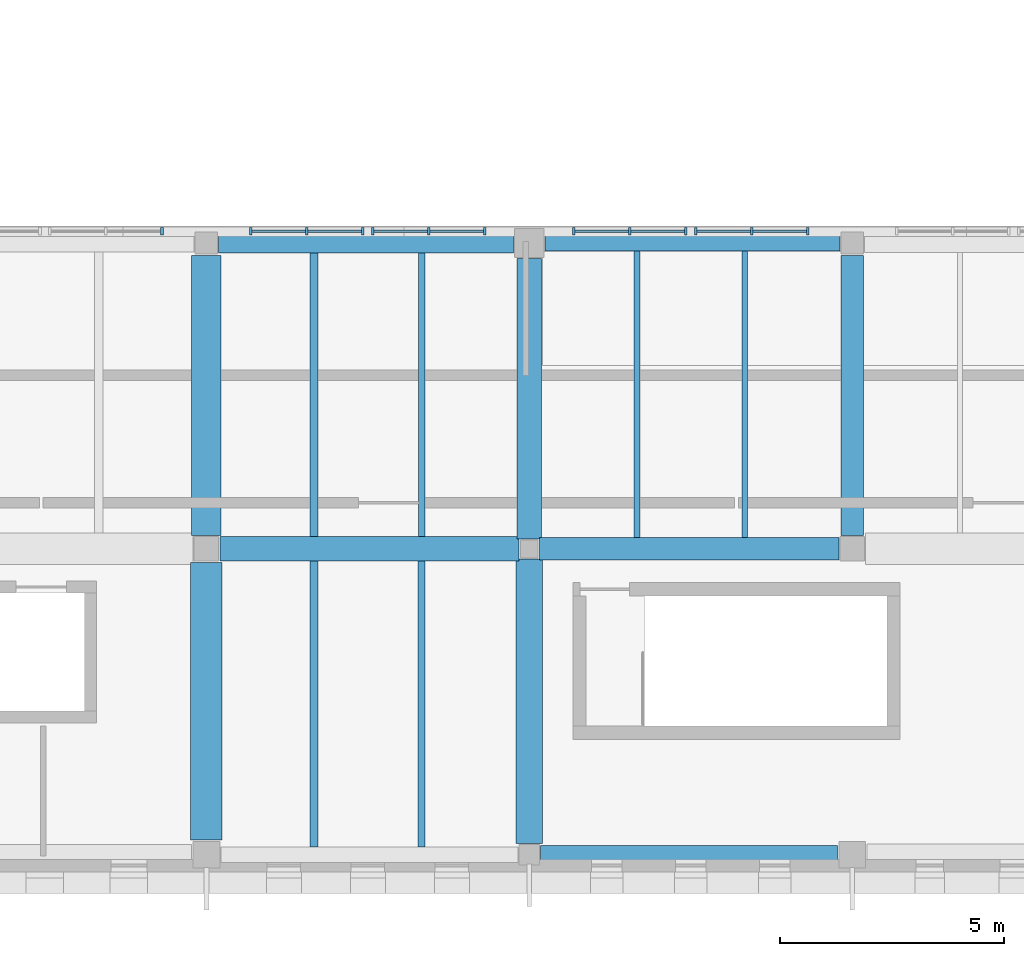
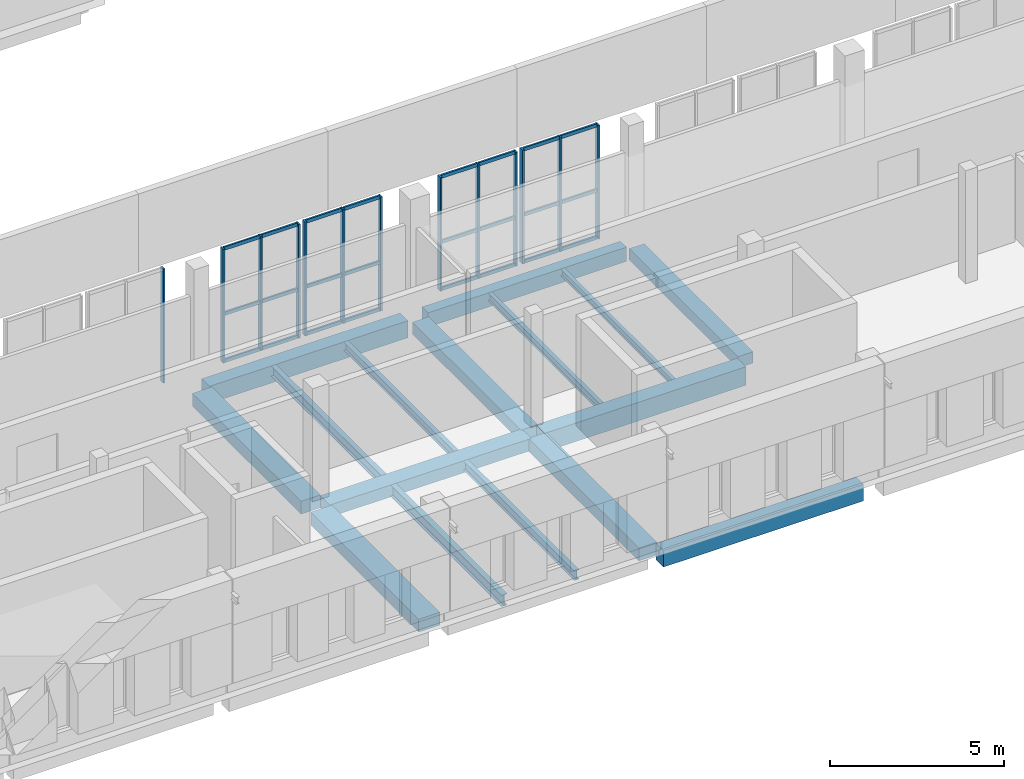
# One storey, part 15 of 76: 37 members, 16 beams, 5 elements without a shape of their own.
"""IFC4 building model written with IfcOpenShell, lengths in metres."""

from ifc_helpers import new_model, si_unit, direction, frame, origin, origin_2d, place, context, subcontext, project, spatial, rectangle, i_section, extrude, material, layer, layer_set, material_profile, profile_set, type_object, element, aggregate, save


model = new_model("IFC4")

# Units and contexts
model_context = context("Model", 3, precision=1e-05, world=origin(), true_north=direction((0.0, 1.0)))
body_context = subcontext(model_context, "Body", "Model", "MODEL_VIEW")
ifc_project = project(units=[si_unit("LENGTHUNIT", "METRE"), si_unit("AREAUNIT", "SQUARE_METRE"), si_unit("VOLUMEUNIT", "CUBIC_METRE"), si_unit("PLANEANGLEUNIT", "RADIAN"), si_unit("MASSUNIT", "GRAM", prefix="KILO")], contexts=[model_context])

# Site, building, storey
site_placement = place(None, origin())
site = spatial("IfcSite", under=ifc_project, at=site_placement, CompositionType="ELEMENT")
building_placement = place(site_placement, origin())
building = spatial("IfcBuilding", under=site, at=building_placement, Name="Vardoun Plaza Health Centre", CompositionType="ELEMENT")
storey_placement = place(building_placement, frame((0.0, 0.0, 4.5)))
storey = spatial("IfcBuildingStorey", under=building, at=storey_placement, Name="L01", CompositionType="ELEMENT", Elevation=4.5)

# Beams
ifc_material_1 = material(Name="Concrete C35/45", Category="concrete")
ifc_material_profile_1 = material_profile(ifc_material_1, rectangle(XDim=0.35009765625, YDim=0.5, at=origin_2d()), Name="RC-BM 350x500")
ifc_profile_set_1 = profile_set([ifc_material_profile_1], Name="Concrete C35/45")
beam_type_1 = type_object("IfcBeamType", Name="B-08", PredefinedType="SPANDREL", material=ifc_profile_set_1)
beam_1_placement = place(storey_placement, frame((77.030029296875, 18.52001953125, -0.56494140625), z_axis=(1.0, 0.0, 0.0), x_axis=(0.0, 1.0, 0.0)))
element("IfcBeam", 1, at=beam_1_placement, inside=storey, type_object=beam_type_1, Name="V4 L01 Beam B-V4-L01-X15", PredefinedType="SPANDREL", context=body_context, shape_type="SweptSolid", body=[
    extrude(rectangle(XDim=0.35009765625, YDim=0.5, at=origin_2d()), origin(), (0.0, 0.0, 1.0), 6.574951171875),
])
ifc_material_2 = material(Name="Concrete C35/45", Category="concrete")
ifc_material_profile_2 = material_profile(ifc_material_2, rectangle(XDim=0.419921875, YDim=0.580078125, at=origin_2d()), Name="RC-BM 420x580")
ifc_profile_set_2 = profile_set([ifc_material_profile_2], Name="Concrete C35/45")
beam_type_2 = type_object("IfcBeamType", Name="B-10", PredefinedType="SPANDREL", material=ifc_profile_set_2)
beam_2_placement = place(storey_placement, frame((76.929931640625, 4.8798828125, -0.60498046875), z_axis=(1.0, 0.0, 0.0), x_axis=(0.0, 1.0, 0.0)))
element("IfcBeam", 2, at=beam_2_placement, inside=storey, type_object=beam_type_2, Name="V4 L01 Beam B-V4-L01-X13", PredefinedType="SPANDREL", context=body_context, shape_type="SweptSolid", body=[
    extrude(rectangle(XDim=0.419921875, YDim=0.580078125, at=origin_2d()), origin(), (0.0, 0.0, 1.0), 6.625),
])
ifc_material_3 = material(Name="Concrete C35/45", Category="concrete")
ifc_material_profile_3 = material_profile(ifc_material_3, rectangle(XDim=0.449951171875, YDim=0.60009765625, at=origin_2d()), Name="RC-BM 450x600")
ifc_profile_set_3 = profile_set([ifc_material_profile_3], Name="Concrete C35/45")
beam_type_3 = type_object("IfcBeamType", Name="B-11", PredefinedType="SPANDREL", material=ifc_profile_set_3)
beam_3_placement = place(storey_placement, frame((69.7548828125, 18.52001953125, -0.614990234375), z_axis=(1.0, 0.0, 0.0), x_axis=(0.0, 1.0, 0.0)))
element("IfcBeam", 3, at=beam_3_placement, inside=storey, type_object=beam_type_3, Name="V4 L01 Beam B-V4-L01-X12", PredefinedType="SPANDREL", context=body_context, shape_type="SweptSolid", body=[
    extrude(rectangle(XDim=0.449951171875, YDim=0.60009765625, at=origin_2d()), origin(), (0.0, 0.0, 1.0), 6.5751953125),
])
ifc_material_4 = material(Name="Concrete C35/45", Category="concrete")
ifc_material_profile_4 = material_profile(ifc_material_4, rectangle(XDim=0.5, YDim=0.39990234375, at=origin_2d()), Name="RC-BM 500x400")
ifc_profile_set_4 = profile_set([ifc_material_profile_4], Name="Concrete C35/45")
beam_type_4 = type_object("IfcBeamType", Name="B-02", PredefinedType="BEAM", material=ifc_profile_set_4)
beam_4_placement = place(storey_placement, frame((83.8798828125, 12.0, -0.514892578125), z_axis=(0.0, 1.0, 0.0), x_axis=(-1.0, 0.0, 0.0)))
element("IfcBeam", 4, at=beam_4_placement, inside=storey, type_object=beam_type_4, Name="V4 L01 Beam B-V4-L01-Y34", PredefinedType="BEAM", context=body_context, shape_type="SweptSolid", body=[
    extrude(rectangle(XDim=0.5, YDim=0.39990234375, at=origin_2d()), origin(), (0.0, 0.0, 1.0), 6.2451171875),
])
ifc_material_5 = material(Name="Concrete C40/50", Category="concrete")
ifc_material_profile_5 = material_profile(ifc_material_5, rectangle(XDim=0.5, YDim=0.64990234375, at=origin_2d()), Name="RC-BM 500x650")
ifc_profile_set_5 = profile_set([ifc_material_profile_5], Name="Concrete C40/50")
beam_type_5 = type_object("IfcBeamType", Name="B-13", PredefinedType="BEAM", material=ifc_profile_set_5)
beam_5_placement = place(storey_placement, frame((76.905029296875, 11.699951171875, -0.639892578125), z_axis=(1.0, 0.0, 0.0), x_axis=(0.0, 1.0, 0.0)))
element("IfcBeam", 5, at=beam_5_placement, inside=storey, type_object=beam_type_5, Name="V4 L01 Beam B-V4-L01-X14", PredefinedType="BEAM", context=body_context, shape_type="SweptSolid", body=[
    extrude(rectangle(XDim=0.5, YDim=0.64990234375, at=origin_2d()), origin(), (0.0, 0.0, 1.0), 6.675048828125),
])
ifc_material_6 = material(Name="Concrete C35/45", Category="concrete")
ifc_material_profile_6 = material_profile(ifc_material_6, rectangle(XDim=0.550048828125, YDim=0.419921875, at=origin_2d()), Name="RC-BM 550x420")
ifc_profile_set_6 = profile_set([ifc_material_profile_6], Name="Concrete C35/45")
beam_type_6 = type_object("IfcBeamType", Name="B-03", PredefinedType="BEAM", material=ifc_profile_set_6)
beam_6_placement = place(storey_placement, frame((69.780029296875, 11.699951171875, -0.52490234375), z_axis=(1.0, 0.0, 0.0), x_axis=(0.0, 1.0, 0.0)))
element("IfcBeam", 6, at=beam_6_placement, inside=storey, type_object=beam_type_6, Name="V4 L01 Beam B-V4-L01-X11", PredefinedType="BEAM", context=body_context, shape_type="SweptSolid", body=[
    extrude(rectangle(XDim=0.550048828125, YDim=0.419921875, at=origin_2d()), origin(), (0.0, 0.0, 1.0), 6.675048828125),
])
beam_7_placement = place(storey_placement, frame((76.679931640625, 11.925048828125, -0.52490234375), z_axis=(0.0, 1.0, 0.0), x_axis=(-1.0, 0.0, 0.0)))
element("IfcBeam", 7, at=beam_7_placement, inside=storey, type_object=beam_type_6, Name="V4 L01 Beam B-V4-L01-Y33", PredefinedType="BEAM", context=body_context, shape_type="SweptSolid", body=[
    extrude(rectangle(XDim=0.550048828125, YDim=0.419921875, at=origin_2d()), origin(), (0.0, 0.0, 1.0), 6.244873046875),
])
ifc_material_7 = material(Name="Concrete C35/45", Category="concrete")
ifc_material_profile_7 = material_profile(ifc_material_7, rectangle(XDim=0.60009765625, YDim=0.449951171875, at=origin_2d()), Name="RC-BM 600x450")
ifc_profile_set_7 = profile_set([ifc_material_profile_7], Name="Concrete C35/45")
beam_type_7 = type_object("IfcBeamType", Name="B-04", PredefinedType="BEAM", material=ifc_profile_set_7)
beam_8_placement = place(storey_placement, frame((76.679931640625, 5.1298828125, -0.5400390625), z_axis=(0.0, 1.0, 0.0), x_axis=(-1.0, 0.0, 0.0)))
element("IfcBeam", 8, at=beam_8_placement, inside=storey, type_object=beam_type_7, Name="V4 L01 Beam B-V4-L01-Y32", PredefinedType="BEAM", context=body_context, shape_type="SweptSolid", body=[
    extrude(rectangle(XDim=0.60009765625, YDim=0.449951171875, at=origin_2d()), origin(), (0.0, 0.0, 1.0), 6.34521484375),
])
ifc_material_8 = material(Name="Concrete C35/45", Category="concrete")
ifc_material_profile_8 = material_profile(ifc_material_8, rectangle(XDim=0.64990234375, YDim=0.449951171875, at=origin_2d()), Name="RC-BM 650x450")
ifc_profile_set_8 = profile_set([ifc_material_profile_8], Name="Concrete C35/45")
beam_type_8 = type_object("IfcBeamType", Name="B-05", PredefinedType="BEAM", material=ifc_profile_set_8)
beam_9_placement = place(storey_placement, frame((69.47998046875, 12.0, -0.5400390625), z_axis=(0.0, 1.0, 0.0), x_axis=(-1.0, 0.0, 0.0)))
element("IfcBeam", 9, at=beam_9_placement, inside=storey, type_object=beam_type_8, Name="V4 L01 Beam B-V4-L01-Y31", PredefinedType="BEAM", context=body_context, shape_type="SweptSolid", body=[
    extrude(rectangle(XDim=0.64990234375, YDim=0.449951171875, at=origin_2d()), origin(), (0.0, 0.0, 1.0), 6.2451171875),
])
ifc_material_9 = material(Name="Concrete C35/45", Category="concrete")
ifc_material_profile_9 = material_profile(ifc_material_9, rectangle(XDim=0.699951171875, YDim=0.449951171875, at=origin_2d()), Name="RC-BM 700x450")
ifc_profile_set_9 = profile_set([ifc_material_profile_9], Name="Concrete C35/45")
beam_type_9 = type_object("IfcBeamType", Name="B-06", PredefinedType="BEAM", material=ifc_profile_set_9)
beam_10_placement = place(storey_placement, frame((69.47998046875, 5.205078125, -0.5400390625), z_axis=(0.0, 1.0, 0.0), x_axis=(-1.0, 0.0, 0.0)))
element("IfcBeam", 10, at=beam_10_placement, inside=storey, type_object=beam_type_9, Name="V4 L01 Beam B-V4-L01-Y30", PredefinedType="BEAM", context=body_context, shape_type="SweptSolid", body=[
    extrude(rectangle(XDim=0.699951171875, YDim=0.449951171875, at=origin_2d()), origin(), (0.0, 0.0, 1.0), 6.19482421875),
])
ifc_material_10 = material(Name="Steel S355J2", Category="steel")
ifc_material_profile_10 = material_profile(ifc_material_10, i_section(OverallWidth=0.1201171875, OverallDepth=0.239990234375, WebThickness=0.006103515625, FlangeThickness=0.009765625, FilletRadius=0.014892578125, at=origin_2d()), Name="IPE 240")
ifc_profile_set_10 = profile_set([ifc_material_profile_10], Name="Steel S355J2")
beam_type_10 = type_object("IfcBeamType", Name="SB-17", PredefinedType="JOIST", material=ifc_profile_set_10)
beam_11_placement = place(storey_placement, frame((81.480224609375, 11.949951171875, -0.43505859375), z_axis=(0.0, 1.0, 0.0), x_axis=(-1.0, 0.0, 0.0)))
element("IfcBeam", 11, at=beam_11_placement, inside=storey, type_object=beam_type_10, Name="V4 L01 Secondary Floor Beam SJ-V4-L01-14", PredefinedType="JOIST", context=body_context, shape_type="SweptSolid", body=[
    extrude(i_section(OverallWidth=0.1201171875, OverallDepth=0.239990234375, WebThickness=0.006103515625, FlangeThickness=0.009765625, FilletRadius=0.014892578125, at=origin_2d()), origin(), (0.0, 0.0, 1.0), 6.39501953125),
])
ifc_material_11 = material(Name="Steel S355J2", Category="steel")
ifc_material_profile_11 = material_profile(ifc_material_11, i_section(OverallWidth=0.135009765625, OverallDepth=0.27001953125, WebThickness=0.006591796875, FlangeThickness=0.01025390625, FilletRadius=0.014892578125, at=origin_2d()), Name="IPE 270")
ifc_profile_set_11 = profile_set([ifc_material_profile_11], Name="Steel S355J2")
beam_type_11 = type_object("IfcBeamType", Name="SB-16", PredefinedType="JOIST", material=ifc_profile_set_11)
beam_12_placement = place(storey_placement, frame((79.079833984375, 11.949951171875, -0.449951171875), z_axis=(0.0, 1.0, 0.0), x_axis=(-1.0, 0.0, 0.0)))
element("IfcBeam", 12, at=beam_12_placement, inside=storey, type_object=beam_type_11, Name="V4 L01 Secondary Floor Beam SJ-V4-L01-13", PredefinedType="JOIST", context=body_context, shape_type="SweptSolid", body=[
    extrude(i_section(OverallWidth=0.135009765625, OverallDepth=0.27001953125, WebThickness=0.006591796875, FlangeThickness=0.01025390625, FilletRadius=0.014892578125, at=origin_2d()), origin(), (0.0, 0.0, 1.0), 6.39501953125),
])
ifc_material_12 = material(Name="Steel S355J2", Category="steel")
ifc_material_profile_12 = material_profile(ifc_material_12, i_section(OverallWidth=0.14990234375, OverallDepth=0.300048828125, WebThickness=0.007080078125, FlangeThickness=0.0107421875, FilletRadius=0.014892578125, at=origin_2d()), Name="IPE 300")
ifc_profile_set_12 = profile_set([ifc_material_profile_12], Name="Steel S355J2")
beam_type_12 = type_object("IfcBeamType", Name="SB-15", PredefinedType="JOIST", material=ifc_profile_set_12)
beam_13_placement = place(storey_placement, frame((74.2802734375, 11.97509765625, -0.465087890625), z_axis=(0.0, 1.0, 0.0), x_axis=(-1.0, 0.0, 0.0)))
element("IfcBeam", 13, at=beam_13_placement, inside=storey, type_object=beam_type_12, Name="V4 L01 Secondary Floor Beam SJ-V4-L01-12", PredefinedType="JOIST", context=body_context, shape_type="SweptSolid", body=[
    extrude(i_section(OverallWidth=0.14990234375, OverallDepth=0.300048828125, WebThickness=0.007080078125, FlangeThickness=0.0107421875, FilletRadius=0.014892578125, at=origin_2d()), origin(), (0.0, 0.0, 1.0), 6.31982421875),
])
ifc_material_13 = material(Name="Steel S355J2", Category="steel")
ifc_material_profile_13 = material_profile(ifc_material_13, i_section(OverallWidth=0.159912109375, OverallDepth=0.330078125, WebThickness=0.007568359375, FlangeThickness=0.011474609375, FilletRadius=0.01806640625, at=origin_2d()), Name="IPE 330")
ifc_profile_set_13 = profile_set([ifc_material_profile_13], Name="Steel S355J2")
beam_type_13 = type_object("IfcBeamType", Name="SB-14", PredefinedType="JOIST", material=ifc_profile_set_13)
beam_14_placement = place(storey_placement, frame((74.2802734375, 5.054931640625, -0.47998046875), z_axis=(0.0, 1.0, 0.0), x_axis=(-1.0, 0.0, 0.0)))
element("IfcBeam", 14, at=beam_14_placement, inside=storey, type_object=beam_type_13, Name="V4 L01 Secondary Floor Beam SJ-V4-L01-11", PredefinedType="JOIST", context=body_context, shape_type="SweptSolid", body=[
    extrude(i_section(OverallWidth=0.159912109375, OverallDepth=0.330078125, WebThickness=0.007568359375, FlangeThickness=0.011474609375, FilletRadius=0.01806640625, at=origin_2d()), origin(), (0.0, 0.0, 1.0), 6.3701171875),
])
ifc_material_14 = material(Name="Steel S355J2", Category="steel")
ifc_material_profile_14 = material_profile(ifc_material_14, i_section(OverallWidth=0.169921875, OverallDepth=0.360107421875, WebThickness=0.008056640625, FlangeThickness=0.0126953125, FilletRadius=0.01806640625, at=origin_2d()), Name="IPE 360")
ifc_profile_set_14 = profile_set([ifc_material_profile_14], Name="Steel S355J2")
beam_type_14 = type_object("IfcBeamType", Name="SB-13", PredefinedType="JOIST", material=ifc_profile_set_14)
beam_15_placement = place(storey_placement, frame((71.8798828125, 11.97509765625, -0.4951171875), z_axis=(0.0, 1.0, 0.0), x_axis=(-1.0, 0.0, 0.0)))
element("IfcBeam", 15, at=beam_15_placement, inside=storey, type_object=beam_type_14, Name="V4 L01 Secondary Floor Beam SJ-V4-L01-10", PredefinedType="JOIST", context=body_context, shape_type="SweptSolid", body=[
    extrude(i_section(OverallWidth=0.169921875, OverallDepth=0.360107421875, WebThickness=0.008056640625, FlangeThickness=0.0126953125, FilletRadius=0.01806640625, at=origin_2d()), origin(), (0.0, 0.0, 1.0), 6.31982421875),
])
ifc_material_15 = material(Name="Steel S355J2", Category="steel")
ifc_material_profile_15 = material_profile(ifc_material_15, i_section(OverallWidth=0.179931640625, OverallDepth=0.39990234375, WebThickness=0.008544921875, FlangeThickness=0.013427734375, FilletRadius=0.02099609375, at=origin_2d()), Name="IPE 400")
ifc_profile_set_15 = profile_set([ifc_material_profile_15], Name="Steel S355J2")
beam_type_15 = type_object("IfcBeamType", Name="SB-12", PredefinedType="BEAM", material=ifc_profile_set_15)
beam_16_placement = place(storey_placement, frame((71.8798828125, 5.054931640625, -0.514892578125), z_axis=(0.0, 1.0, 0.0), x_axis=(-1.0, 0.0, 0.0)))
element("IfcBeam", 16, at=beam_16_placement, inside=storey, type_object=beam_type_15, Name="V4 L01 Secondary Floor Beam SJ-V4-L01-09", PredefinedType="BEAM", context=body_context, shape_type="SweptSolid", body=[
    extrude(i_section(OverallWidth=0.179931640625, OverallDepth=0.39990234375, WebThickness=0.008544921875, FlangeThickness=0.013427734375, FilletRadius=0.02099609375, at=origin_2d()), origin(), (0.0, 0.0, 1.0), 6.3701171875),
])

# Curtain wall, member
ifc_material_16 = material(Name="Aluminium Alloy EN AW-6063-T6 and Low-E Glass", Category="aluminium")
ifc_layer = layer(ifc_material_16, 0.14990234375)
ifc_layer_set = layer_set([ifc_layer], Name="Aluminium Alloy EN AW-6063-T6 and Low-E Glass")
curtain_wall_type = type_object("IfcCurtainWallType", Name="CW-03", PredefinedType="NOTDEFINED", material=ifc_layer_set)
curtain_wall_1_placement = place(storey_placement, origin())
curtain_wall_1 = element("IfcCurtainWall", 17, at=curtain_wall_1_placement, inside=storey, type_object=curtain_wall_type, Name="Curtain Wall CW-V4-122", PredefinedType="NOTDEFINED")
ifc_material_17 = material(Name="Aluminium Alloy EN AW-6063-T6", Category="aluminium")
ifc_material_profile_16 = material_profile(ifc_material_17, rectangle(XDim=0.159912109375, YDim=0.06005859375, at=origin_2d()), Name="CWM 60x160")
ifc_profile_set_16 = profile_set([ifc_material_profile_16], Name="Aluminium Alloy EN AW-6063-T6")
member_type_1 = type_object("IfcMemberType", Name="CW-M1", PredefinedType="MULLION", material=ifc_profile_set_16)
member_1_placement = place(storey_placement, frame((68.489990234375, 18.780029296875, 0.0), z_axis=(0.0, 0.0, 1.0), x_axis=(0.0, 1.0, 0.0)))
member_1 = element("IfcMember", 18, at=member_1_placement, type_object=member_type_1, Name="CW-V4-122 mullion 3", PredefinedType="MULLION", context=body_context, shape_type="SweptSolid", body=[
    extrude(rectangle(XDim=0.159912109375, YDim=0.06005859375, at=origin_2d()), origin(), (0.0, 0.0, 1.0), 3.9951171875),
])
aggregate(curtain_wall_1, [member_1])

# Curtain wall, members
curtain_wall_2_placement = place(storey_placement, origin())
curtain_wall_2 = element("IfcCurtainWall", 19, at=curtain_wall_2_placement, inside=storey, type_object=curtain_wall_type, Name="Curtain Wall CW-V4-123", PredefinedType="NOTDEFINED")
member_2_placement = place(storey_placement, frame((70.469970703125, 18.780029296875, 0.0), z_axis=(0.0, 0.0, 1.0), x_axis=(0.0, 1.0, 0.0)))
member_2 = element("IfcMember", 20, at=member_2_placement, type_object=member_type_1, Name="CW-V4-123 mullion 1", PredefinedType="MULLION", context=body_context, shape_type="SweptSolid", body=[
    extrude(rectangle(XDim=0.159912109375, YDim=0.06005859375, at=origin_2d()), origin(), (0.0, 0.0, 1.0), 3.9951171875),
])
member_3_placement = place(storey_placement, frame((71.719970703125, 18.780029296875, 0.0), z_axis=(0.0, 0.0, 1.0), x_axis=(0.0, 1.0, 0.0)))
member_3 = element("IfcMember", 21, at=member_3_placement, type_object=member_type_1, Name="CW-V4-123 mullion 2", PredefinedType="MULLION", context=body_context, shape_type="SweptSolid", body=[
    extrude(rectangle(XDim=0.159912109375, YDim=0.06005859375, at=origin_2d()), origin(), (0.0, 0.0, 1.0), 3.9951171875),
])
member_4_placement = place(storey_placement, frame((72.969970703125, 18.780029296875, 0.0), z_axis=(0.0, 0.0, 1.0), x_axis=(0.0, 1.0, 0.0)))
member_4 = element("IfcMember", 22, at=member_4_placement, type_object=member_type_1, Name="CW-V4-123 mullion 3", PredefinedType="MULLION", context=body_context, shape_type="SweptSolid", body=[
    extrude(rectangle(XDim=0.159912109375, YDim=0.06005859375, at=origin_2d()), origin(), (0.0, 0.0, 1.0), 3.9951171875),
])

curtain_wall_3_placement = place(storey_placement, origin())
curtain_wall_3 = element("IfcCurtainWall", 23, at=curtain_wall_3_placement, inside=storey, type_object=curtain_wall_type, Name="Curtain Wall CW-V4-124", PredefinedType="NOTDEFINED")
member_5_placement = place(storey_placement, frame((73.190185546875, 18.780029296875, 0.0), z_axis=(0.0, 0.0, 1.0), x_axis=(0.0, 1.0, 0.0)))
member_5 = element("IfcMember", 24, at=member_5_placement, type_object=member_type_1, Name="CW-V4-124 mullion 1", PredefinedType="MULLION", context=body_context, shape_type="SweptSolid", body=[
    extrude(rectangle(XDim=0.159912109375, YDim=0.06005859375, at=origin_2d()), origin(), (0.0, 0.0, 1.0), 3.9951171875),
])
member_6_placement = place(storey_placement, frame((74.440185546875, 18.780029296875, 0.0), z_axis=(0.0, 0.0, 1.0), x_axis=(0.0, 1.0, 0.0)))
member_6 = element("IfcMember", 25, at=member_6_placement, type_object=member_type_1, Name="CW-V4-124 mullion 2", PredefinedType="MULLION", context=body_context, shape_type="SweptSolid", body=[
    extrude(rectangle(XDim=0.159912109375, YDim=0.06005859375, at=origin_2d()), origin(), (0.0, 0.0, 1.0), 3.9951171875),
])
member_7_placement = place(storey_placement, frame((75.690185546875, 18.780029296875, 0.0), z_axis=(0.0, 0.0, 1.0), x_axis=(0.0, 1.0, 0.0)))
member_7 = element("IfcMember", 26, at=member_7_placement, type_object=member_type_1, Name="CW-V4-124 mullion 3", PredefinedType="MULLION", context=body_context, shape_type="SweptSolid", body=[
    extrude(rectangle(XDim=0.159912109375, YDim=0.06005859375, at=origin_2d()), origin(), (0.0, 0.0, 1.0), 3.9951171875),
])

curtain_wall_4_placement = place(storey_placement, origin())
curtain_wall_4 = element("IfcCurtainWall", 27, at=curtain_wall_4_placement, inside=storey, type_object=curtain_wall_type, Name="Curtain Wall CW-V4-125", PredefinedType="NOTDEFINED")
member_8_placement = place(storey_placement, frame((77.669921875, 18.780029296875, 0.0), z_axis=(0.0, 0.0, 1.0), x_axis=(0.0, 1.0, 0.0)))
member_8 = element("IfcMember", 28, at=member_8_placement, type_object=member_type_1, Name="CW-V4-125 mullion 1", PredefinedType="MULLION", context=body_context, shape_type="SweptSolid", body=[
    extrude(rectangle(XDim=0.159912109375, YDim=0.06005859375, at=origin_2d()), origin(), (0.0, 0.0, 1.0), 3.9951171875),
])
member_9_placement = place(storey_placement, frame((78.919921875, 18.780029296875, 0.0), z_axis=(0.0, 0.0, 1.0), x_axis=(0.0, 1.0, 0.0)))
member_9 = element("IfcMember", 29, at=member_9_placement, type_object=member_type_1, Name="CW-V4-125 mullion 2", PredefinedType="MULLION", context=body_context, shape_type="SweptSolid", body=[
    extrude(rectangle(XDim=0.159912109375, YDim=0.06005859375, at=origin_2d()), origin(), (0.0, 0.0, 1.0), 3.9951171875),
])
member_10_placement = place(storey_placement, frame((80.169921875, 18.780029296875, 0.0), z_axis=(0.0, 0.0, 1.0), x_axis=(0.0, 1.0, 0.0)))
member_10 = element("IfcMember", 30, at=member_10_placement, type_object=member_type_1, Name="CW-V4-125 mullion 3", PredefinedType="MULLION", context=body_context, shape_type="SweptSolid", body=[
    extrude(rectangle(XDim=0.159912109375, YDim=0.06005859375, at=origin_2d()), origin(), (0.0, 0.0, 1.0), 3.9951171875),
])

curtain_wall_5_placement = place(storey_placement, origin())
curtain_wall_5 = element("IfcCurtainWall", 31, at=curtain_wall_5_placement, inside=storey, type_object=curtain_wall_type, Name="Curtain Wall CW-V4-126", PredefinedType="NOTDEFINED")
member_11_placement = place(storey_placement, frame((80.389892578125, 18.780029296875, 0.0), z_axis=(0.0, 0.0, 1.0), x_axis=(0.0, 1.0, 0.0)))
member_11 = element("IfcMember", 32, at=member_11_placement, type_object=member_type_1, Name="CW-V4-126 mullion 1", PredefinedType="MULLION", context=body_context, shape_type="SweptSolid", body=[
    extrude(rectangle(XDim=0.159912109375, YDim=0.06005859375, at=origin_2d()), origin(), (0.0, 0.0, 1.0), 3.9951171875),
])
member_12_placement = place(storey_placement, frame((81.639892578125, 18.780029296875, 0.0), z_axis=(0.0, 0.0, 1.0), x_axis=(0.0, 1.0, 0.0)))
member_12 = element("IfcMember", 33, at=member_12_placement, type_object=member_type_1, Name="CW-V4-126 mullion 2", PredefinedType="MULLION", context=body_context, shape_type="SweptSolid", body=[
    extrude(rectangle(XDim=0.159912109375, YDim=0.06005859375, at=origin_2d()), origin(), (0.0, 0.0, 1.0), 3.9951171875),
])
member_13_placement = place(storey_placement, frame((82.889892578125, 18.780029296875, 0.0), z_axis=(0.0, 0.0, 1.0), x_axis=(0.0, 1.0, 0.0)))
member_13 = element("IfcMember", 34, at=member_13_placement, type_object=member_type_1, Name="CW-V4-126 mullion 3", PredefinedType="MULLION", context=body_context, shape_type="SweptSolid", body=[
    extrude(rectangle(XDim=0.159912109375, YDim=0.06005859375, at=origin_2d()), origin(), (0.0, 0.0, 1.0), 3.9951171875),
])

# Member
ifc_material_18 = material(Name="Aluminium Alloy EN AW-6063-T6", Category="aluminium")
ifc_material_profile_17 = material_profile(ifc_material_18, rectangle(XDim=0.06005859375, YDim=0.1201171875, at=origin_2d()), Name="CWT 60x120")
ifc_profile_set_17 = profile_set([ifc_material_profile_17], Name="Aluminium Alloy EN AW-6063-T6")
member_type_2 = type_object("IfcMemberType", Name="CW-T1", PredefinedType="USERDEFINED", material=ifc_profile_set_17)
member_14_placement = place(storey_placement, frame((70.5, 18.780029296875, 0.030029296875), z_axis=(1.0, 0.0, 0.0), x_axis=(0.0, 1.0, 0.0)))
member_14 = element("IfcMember", 35, at=member_14_placement, type_object=member_type_2, Name="CW-V4-123 transom 1.1", ObjectType="TRANSOM", PredefinedType="USERDEFINED", context=body_context, shape_type="SweptSolid", body=[
    extrude(rectangle(XDim=0.06005859375, YDim=0.1201171875, at=origin_2d()), origin(), (0.0, 0.0, 1.0), 1.190185546875),
])

member_15_placement = place(storey_placement, frame((70.5, 18.780029296875, 1.677978515625), z_axis=(1.0, 0.0, 0.0), x_axis=(0.0, 1.0, 0.0)))
member_15 = element("IfcMember", 36, at=member_15_placement, type_object=member_type_2, Name="CW-V4-123 transom 1.2", ObjectType="TRANSOM", PredefinedType="USERDEFINED", context=body_context, shape_type="SweptSolid", body=[
    extrude(rectangle(XDim=0.06005859375, YDim=0.1201171875, at=origin_2d()), origin(), (0.0, 0.0, 1.0), 1.190185546875),
])

member_16_placement = place(storey_placement, frame((70.5, 18.780029296875, 3.965087890625), z_axis=(1.0, 0.0, 0.0), x_axis=(0.0, 1.0, 0.0)))
member_16 = element("IfcMember", 37, at=member_16_placement, type_object=member_type_2, Name="CW-V4-123 transom 1.3", ObjectType="TRANSOM", PredefinedType="USERDEFINED", context=body_context, shape_type="SweptSolid", body=[
    extrude(rectangle(XDim=0.06005859375, YDim=0.1201171875, at=origin_2d()), origin(), (0.0, 0.0, 1.0), 1.190185546875),
])

member_17_placement = place(storey_placement, frame((71.75, 18.780029296875, 0.030029296875), z_axis=(1.0, 0.0, 0.0), x_axis=(0.0, 1.0, 0.0)))
member_17 = element("IfcMember", 38, at=member_17_placement, type_object=member_type_2, Name="CW-V4-123 transom 2.1", ObjectType="TRANSOM", PredefinedType="USERDEFINED", context=body_context, shape_type="SweptSolid", body=[
    extrude(rectangle(XDim=0.06005859375, YDim=0.1201171875, at=origin_2d()), origin(), (0.0, 0.0, 1.0), 1.190185546875),
])

member_18_placement = place(storey_placement, frame((71.75, 18.780029296875, 1.677978515625), z_axis=(1.0, 0.0, 0.0), x_axis=(0.0, 1.0, 0.0)))
member_18 = element("IfcMember", 39, at=member_18_placement, type_object=member_type_2, Name="CW-V4-123 transom 2.2", ObjectType="TRANSOM", PredefinedType="USERDEFINED", context=body_context, shape_type="SweptSolid", body=[
    extrude(rectangle(XDim=0.06005859375, YDim=0.1201171875, at=origin_2d()), origin(), (0.0, 0.0, 1.0), 1.190185546875),
])

member_19_placement = place(storey_placement, frame((71.75, 18.780029296875, 3.965087890625), z_axis=(1.0, 0.0, 0.0), x_axis=(0.0, 1.0, 0.0)))
member_19 = element("IfcMember", 40, at=member_19_placement, type_object=member_type_2, Name="CW-V4-123 transom 2.3", ObjectType="TRANSOM", PredefinedType="USERDEFINED", context=body_context, shape_type="SweptSolid", body=[
    extrude(rectangle(XDim=0.06005859375, YDim=0.1201171875, at=origin_2d()), origin(), (0.0, 0.0, 1.0), 1.190185546875),
])

aggregate(curtain_wall_2, [member_2, member_3, member_4, member_14, member_15, member_16, member_17, member_18, member_19])

member_20_placement = place(storey_placement, frame((73.219970703125, 18.780029296875, 0.030029296875), z_axis=(1.0, 0.0, 0.0), x_axis=(0.0, 1.0, 0.0)))
member_20 = element("IfcMember", 41, at=member_20_placement, type_object=member_type_2, Name="CW-V4-124 transom 1.1", ObjectType="TRANSOM", PredefinedType="USERDEFINED", context=body_context, shape_type="SweptSolid", body=[
    extrude(rectangle(XDim=0.06005859375, YDim=0.1201171875, at=origin_2d()), origin(), (0.0, 0.0, 1.0), 1.18994140625),
])

member_21_placement = place(storey_placement, frame((73.219970703125, 18.780029296875, 1.677978515625), z_axis=(1.0, 0.0, 0.0), x_axis=(0.0, 1.0, 0.0)))
member_21 = element("IfcMember", 42, at=member_21_placement, type_object=member_type_2, Name="CW-V4-124 transom 1.2", ObjectType="TRANSOM", PredefinedType="USERDEFINED", context=body_context, shape_type="SweptSolid", body=[
    extrude(rectangle(XDim=0.06005859375, YDim=0.1201171875, at=origin_2d()), origin(), (0.0, 0.0, 1.0), 1.18994140625),
])

member_22_placement = place(storey_placement, frame((73.219970703125, 18.780029296875, 3.965087890625), z_axis=(1.0, 0.0, 0.0), x_axis=(0.0, 1.0, 0.0)))
member_22 = element("IfcMember", 43, at=member_22_placement, type_object=member_type_2, Name="CW-V4-124 transom 1.3", ObjectType="TRANSOM", PredefinedType="USERDEFINED", context=body_context, shape_type="SweptSolid", body=[
    extrude(rectangle(XDim=0.06005859375, YDim=0.1201171875, at=origin_2d()), origin(), (0.0, 0.0, 1.0), 1.18994140625),
])

member_23_placement = place(storey_placement, frame((74.469970703125, 18.780029296875, 0.030029296875), z_axis=(1.0, 0.0, 0.0), x_axis=(0.0, 1.0, 0.0)))
member_23 = element("IfcMember", 44, at=member_23_placement, type_object=member_type_2, Name="CW-V4-124 transom 2.1", ObjectType="TRANSOM", PredefinedType="USERDEFINED", context=body_context, shape_type="SweptSolid", body=[
    extrude(rectangle(XDim=0.06005859375, YDim=0.1201171875, at=origin_2d()), origin(), (0.0, 0.0, 1.0), 1.18994140625),
])

member_24_placement = place(storey_placement, frame((74.469970703125, 18.780029296875, 1.677978515625), z_axis=(1.0, 0.0, 0.0), x_axis=(0.0, 1.0, 0.0)))
member_24 = element("IfcMember", 45, at=member_24_placement, type_object=member_type_2, Name="CW-V4-124 transom 2.2", ObjectType="TRANSOM", PredefinedType="USERDEFINED", context=body_context, shape_type="SweptSolid", body=[
    extrude(rectangle(XDim=0.06005859375, YDim=0.1201171875, at=origin_2d()), origin(), (0.0, 0.0, 1.0), 1.18994140625),
])

member_25_placement = place(storey_placement, frame((74.469970703125, 18.780029296875, 3.965087890625), z_axis=(1.0, 0.0, 0.0), x_axis=(0.0, 1.0, 0.0)))
member_25 = element("IfcMember", 46, at=member_25_placement, type_object=member_type_2, Name="CW-V4-124 transom 2.3", ObjectType="TRANSOM", PredefinedType="USERDEFINED", context=body_context, shape_type="SweptSolid", body=[
    extrude(rectangle(XDim=0.06005859375, YDim=0.1201171875, at=origin_2d()), origin(), (0.0, 0.0, 1.0), 1.18994140625),
])

aggregate(curtain_wall_3, [member_5, member_6, member_7, member_20, member_21, member_22, member_23, member_24, member_25])

member_26_placement = place(storey_placement, frame((77.699951171875, 18.780029296875, 0.030029296875), z_axis=(1.0, 0.0, 0.0), x_axis=(0.0, 1.0, 0.0)))
member_26 = element("IfcMember", 47, at=member_26_placement, type_object=member_type_2, Name="CW-V4-125 transom 1.1", ObjectType="TRANSOM", PredefinedType="USERDEFINED", context=body_context, shape_type="SweptSolid", body=[
    extrude(rectangle(XDim=0.06005859375, YDim=0.1201171875, at=origin_2d()), origin(), (0.0, 0.0, 1.0), 1.18994140625),
])

member_27_placement = place(storey_placement, frame((77.699951171875, 18.780029296875, 1.677978515625), z_axis=(1.0, 0.0, 0.0), x_axis=(0.0, 1.0, 0.0)))
member_27 = element("IfcMember", 48, at=member_27_placement, type_object=member_type_2, Name="CW-V4-125 transom 1.2", ObjectType="TRANSOM", PredefinedType="USERDEFINED", context=body_context, shape_type="SweptSolid", body=[
    extrude(rectangle(XDim=0.06005859375, YDim=0.1201171875, at=origin_2d()), origin(), (0.0, 0.0, 1.0), 1.18994140625),
])

member_28_placement = place(storey_placement, frame((77.699951171875, 18.780029296875, 3.965087890625), z_axis=(1.0, 0.0, 0.0), x_axis=(0.0, 1.0, 0.0)))
member_28 = element("IfcMember", 49, at=member_28_placement, type_object=member_type_2, Name="CW-V4-125 transom 1.3", ObjectType="TRANSOM", PredefinedType="USERDEFINED", context=body_context, shape_type="SweptSolid", body=[
    extrude(rectangle(XDim=0.06005859375, YDim=0.1201171875, at=origin_2d()), origin(), (0.0, 0.0, 1.0), 1.18994140625),
])

member_29_placement = place(storey_placement, frame((78.949951171875, 18.780029296875, 0.030029296875), z_axis=(1.0, 0.0, 0.0), x_axis=(0.0, 1.0, 0.0)))
member_29 = element("IfcMember", 50, at=member_29_placement, type_object=member_type_2, Name="CW-V4-125 transom 2.1", ObjectType="TRANSOM", PredefinedType="USERDEFINED", context=body_context, shape_type="SweptSolid", body=[
    extrude(rectangle(XDim=0.06005859375, YDim=0.1201171875, at=origin_2d()), origin(), (0.0, 0.0, 1.0), 1.18994140625),
])

member_30_placement = place(storey_placement, frame((78.949951171875, 18.780029296875, 1.677978515625), z_axis=(1.0, 0.0, 0.0), x_axis=(0.0, 1.0, 0.0)))
member_30 = element("IfcMember", 51, at=member_30_placement, type_object=member_type_2, Name="CW-V4-125 transom 2.2", ObjectType="TRANSOM", PredefinedType="USERDEFINED", context=body_context, shape_type="SweptSolid", body=[
    extrude(rectangle(XDim=0.06005859375, YDim=0.1201171875, at=origin_2d()), origin(), (0.0, 0.0, 1.0), 1.18994140625),
])

member_31_placement = place(storey_placement, frame((78.949951171875, 18.780029296875, 3.965087890625), z_axis=(1.0, 0.0, 0.0), x_axis=(0.0, 1.0, 0.0)))
member_31 = element("IfcMember", 52, at=member_31_placement, type_object=member_type_2, Name="CW-V4-125 transom 2.3", ObjectType="TRANSOM", PredefinedType="USERDEFINED", context=body_context, shape_type="SweptSolid", body=[
    extrude(rectangle(XDim=0.06005859375, YDim=0.1201171875, at=origin_2d()), origin(), (0.0, 0.0, 1.0), 1.18994140625),
])

aggregate(curtain_wall_4, [member_8, member_9, member_10, member_26, member_27, member_28, member_29, member_30, member_31])

member_32_placement = place(storey_placement, frame((80.419921875, 18.780029296875, 0.030029296875), z_axis=(1.0, 0.0, 0.0), x_axis=(0.0, 1.0, 0.0)))
member_32 = element("IfcMember", 53, at=member_32_placement, type_object=member_type_2, Name="CW-V4-126 transom 1.1", ObjectType="TRANSOM", PredefinedType="USERDEFINED", context=body_context, shape_type="SweptSolid", body=[
    extrude(rectangle(XDim=0.06005859375, YDim=0.1201171875, at=origin_2d()), origin(), (0.0, 0.0, 1.0), 1.190185546875),
])

member_33_placement = place(storey_placement, frame((80.419921875, 18.780029296875, 1.677978515625), z_axis=(1.0, 0.0, 0.0), x_axis=(0.0, 1.0, 0.0)))
member_33 = element("IfcMember", 54, at=member_33_placement, type_object=member_type_2, Name="CW-V4-126 transom 1.2", ObjectType="TRANSOM", PredefinedType="USERDEFINED", context=body_context, shape_type="SweptSolid", body=[
    extrude(rectangle(XDim=0.06005859375, YDim=0.1201171875, at=origin_2d()), origin(), (0.0, 0.0, 1.0), 1.190185546875),
])

member_34_placement = place(storey_placement, frame((80.419921875, 18.780029296875, 3.965087890625), z_axis=(1.0, 0.0, 0.0), x_axis=(0.0, 1.0, 0.0)))
member_34 = element("IfcMember", 55, at=member_34_placement, type_object=member_type_2, Name="CW-V4-126 transom 1.3", ObjectType="TRANSOM", PredefinedType="USERDEFINED", context=body_context, shape_type="SweptSolid", body=[
    extrude(rectangle(XDim=0.06005859375, YDim=0.1201171875, at=origin_2d()), origin(), (0.0, 0.0, 1.0), 1.190185546875),
])

member_35_placement = place(storey_placement, frame((81.669921875, 18.780029296875, 0.030029296875), z_axis=(1.0, 0.0, 0.0), x_axis=(0.0, 1.0, 0.0)))
member_35 = element("IfcMember", 56, at=member_35_placement, type_object=member_type_2, Name="CW-V4-126 transom 2.1", ObjectType="TRANSOM", PredefinedType="USERDEFINED", context=body_context, shape_type="SweptSolid", body=[
    extrude(rectangle(XDim=0.06005859375, YDim=0.1201171875, at=origin_2d()), origin(), (0.0, 0.0, 1.0), 1.190185546875),
])

member_36_placement = place(storey_placement, frame((81.669921875, 18.780029296875, 1.677978515625), z_axis=(1.0, 0.0, 0.0), x_axis=(0.0, 1.0, 0.0)))
member_36 = element("IfcMember", 57, at=member_36_placement, type_object=member_type_2, Name="CW-V4-126 transom 2.2", ObjectType="TRANSOM", PredefinedType="USERDEFINED", context=body_context, shape_type="SweptSolid", body=[
    extrude(rectangle(XDim=0.06005859375, YDim=0.1201171875, at=origin_2d()), origin(), (0.0, 0.0, 1.0), 1.190185546875),
])

member_37_placement = place(storey_placement, frame((81.669921875, 18.780029296875, 3.965087890625), z_axis=(1.0, 0.0, 0.0), x_axis=(0.0, 1.0, 0.0)))
member_37 = element("IfcMember", 58, at=member_37_placement, type_object=member_type_2, Name="CW-V4-126 transom 2.3", ObjectType="TRANSOM", PredefinedType="USERDEFINED", context=body_context, shape_type="SweptSolid", body=[
    extrude(rectangle(XDim=0.06005859375, YDim=0.1201171875, at=origin_2d()), origin(), (0.0, 0.0, 1.0), 1.190185546875),
])

aggregate(curtain_wall_5, [member_11, member_12, member_13, member_32, member_33, member_34, member_35, member_36, member_37])

save(model, "model.ifc")
